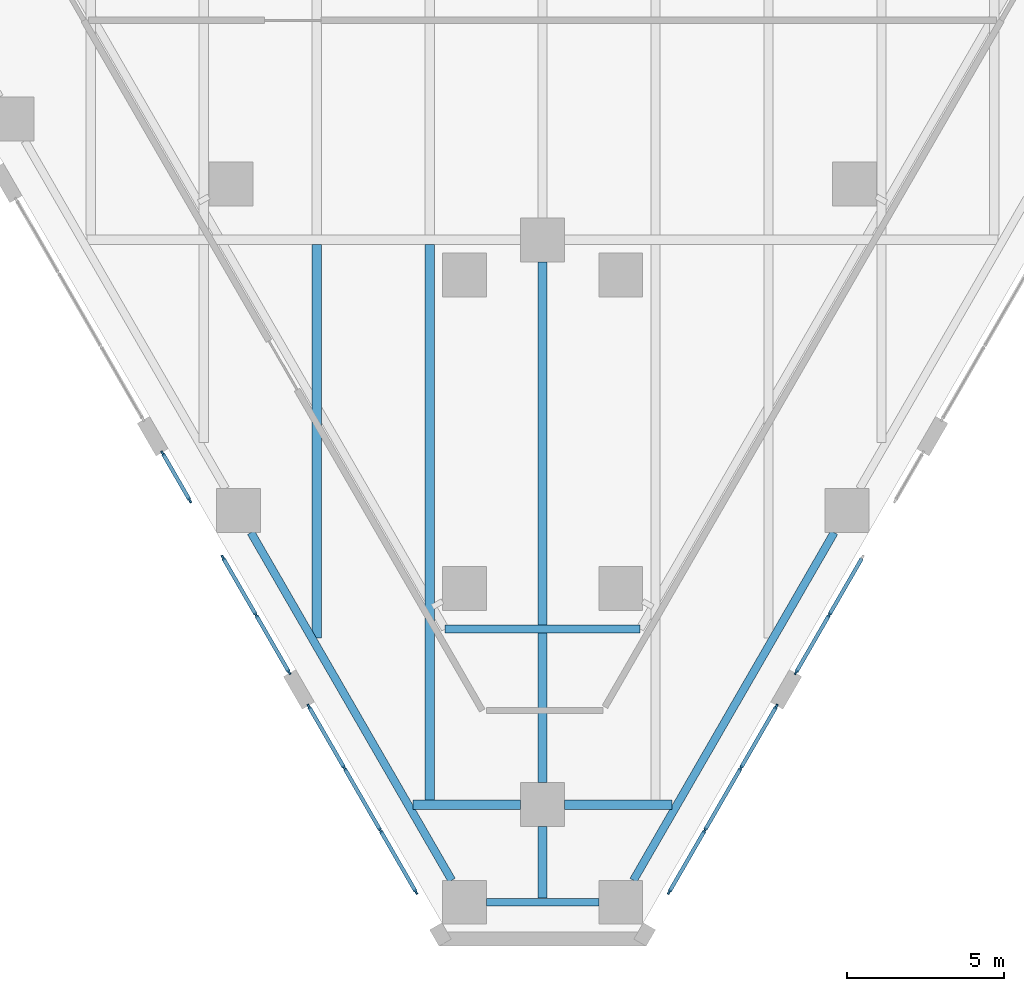
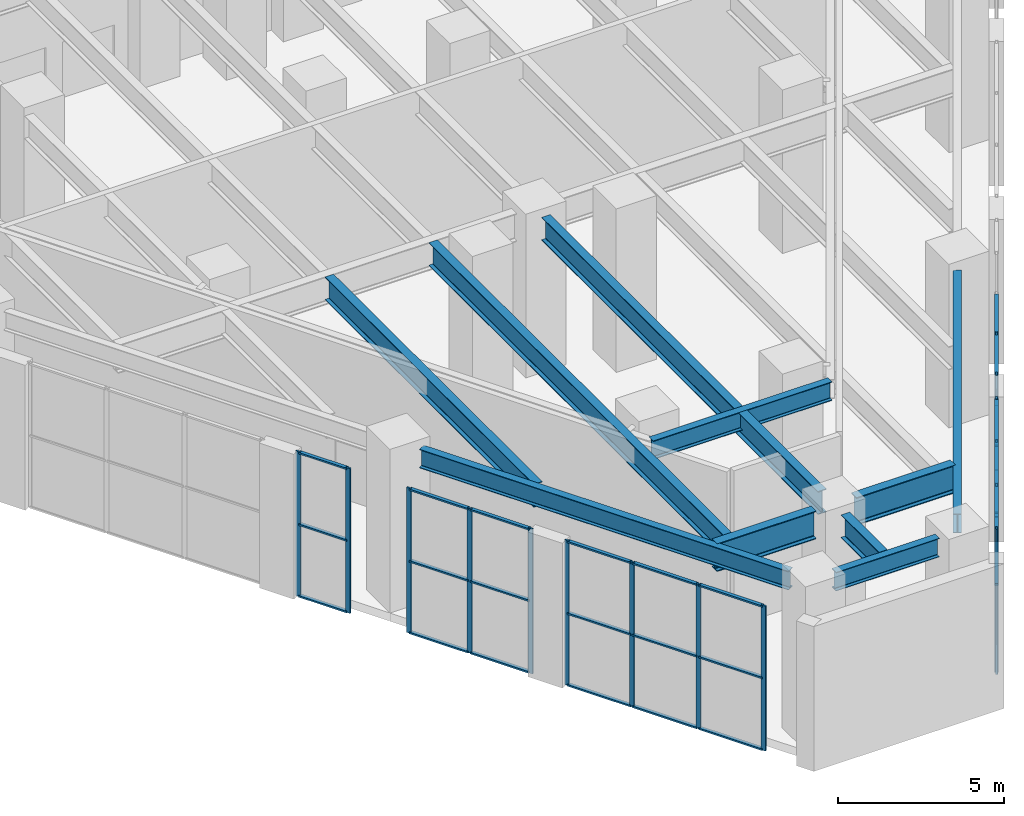
# One storey, part 2 of 37: 48 members, 10 beams, 5 elements without a shape of their own.
"""IFC4 building model written with IfcOpenShell, lengths in metres."""

from ifc_helpers import new_model, si_unit, direction, frame, origin, origin_2d, place, context, subcontext, project, spatial, rectangle, i_section, extrude, material, material_profile, profile_set, type_object, element, aggregate, save


model = new_model("IFC4")

# Units and contexts
model_context = context("Model", 3, precision=1e-05, world=origin(), true_north=direction((0.0, 1.0)))
body_context = subcontext(model_context, "Body", "Model", "MODEL_VIEW")
ifc_project = project(units=[si_unit("LENGTHUNIT", "METRE"), si_unit("AREAUNIT", "SQUARE_METRE"), si_unit("VOLUMEUNIT", "CUBIC_METRE"), si_unit("PLANEANGLEUNIT", "RADIAN"), si_unit("MASSUNIT", "GRAM", prefix="KILO")], contexts=[model_context])

# Site, building, storey
site_placement = place(None, origin())
site = spatial("IfcSite", under=ifc_project, at=site_placement, CompositionType="ELEMENT")
building_placement = place(site_placement, origin())
building = spatial("IfcBuilding", under=site, at=building_placement, Name="Aloe Facet Convention Tower", CompositionType="ELEMENT")
storey_placement = place(building_placement, frame((0.0, 0.0, 7.5)))
storey = spatial("IfcBuildingStorey", under=building, at=storey_placement, Name="L01", CompositionType="ELEMENT", Elevation=7.5)

# Beam
ifc_material_1 = material(Name="Steel S355", Category="steel")
ifc_material_profile_1 = material_profile(ifc_material_1, i_section(OverallWidth=0.25439453125, OverallDepth=0.6875, WebThickness=0.01318359375, FlangeThickness=0.02099609375, FilletRadius=0.01513671875, at=origin_2d()), Name="UB 686x254x152")
ifc_profile_set_1 = profile_set([ifc_material_profile_1], Name="Steel S355")
beam_type_1 = type_object("IfcBeamType", Name="EV-EB-UB686x254x152", PredefinedType="BEAM", material=ifc_profile_set_1)
beam_1_placement = place(storey_placement, frame((76.89501953125, 50.598876953125, 5.356201171875), z_axis=(1.0, 0.0, 0.0), x_axis=(0.0, 1.0, 0.0)))
element("IfcBeam", 1, at=beam_1_placement, inside=storey, type_object=beam_type_1, Name="EB-L02-B", PredefinedType="BEAM", context=body_context, shape_type="SweptSolid", body=[
    extrude(i_section(OverallWidth=0.25439453125, OverallDepth=0.6875, WebThickness=0.01318359375, FlangeThickness=0.02099609375, FilletRadius=0.01513671875, at=origin_2d()), origin(), (0.0, 0.0, 1.0), 6.2099609375),
])

# Curtain wall, members
ifc_material_2 = material(Name="Aluminium, anodised", Category="aluminium")
curtain_wall_type = type_object("IfcCurtainWallType", Name="EV-CW-SHOP", PredefinedType="USERDEFINED", material=ifc_material_2)
curtain_wall_1_placement = place(storey_placement, origin())
curtain_wall_1 = element("IfcCurtainWall", 2, at=curtain_wall_1_placement, inside=storey, type_object=curtain_wall_type, Name="CW-L01-W20-1", ObjectType="STICK SHOPFRONT GLAZING", PredefinedType="USERDEFINED")
ifc_material_3 = material(Name="Aluminium, anodised", Category="aluminium")
ifc_material_profile_2 = material_profile(ifc_material_3, rectangle(XDim=0.06005859375, YDim=0.159912109375, at=origin_2d()), Name="AL 60x160")
ifc_profile_set_2 = profile_set([ifc_material_profile_2], Name="Aluminium, anodised")
member_type_1 = type_object("IfcMemberType", Name="EV-MULL-SHOP", PredefinedType="MULLION", material=ifc_profile_set_2)
member_1_placement = place(storey_placement, frame((67.888427734375, 56.1982421875, -0.300048828125), z_axis=(0.0, 0.0, 1.0), x_axis=(0.866025403715, 0.500000000121, 0.0)))
member_1 = element("IfcMember", 3, at=member_1_placement, type_object=member_type_1, Name="CW-L01-W20-1 mullion 1", PredefinedType="MULLION", context=body_context, shape_type="SweptSolid", body=[
    extrude(rectangle(XDim=0.06005859375, YDim=0.159912109375, at=origin_2d()), origin(), (0.0, 0.0, 1.0), 5.3125),
])
member_2_placement = place(storey_placement, frame((68.7548828125, 54.697509765625, -0.300048828125), z_axis=(0.0, 0.0, 1.0), x_axis=(0.866025403715, 0.500000000121, 0.0)))
member_2 = element("IfcMember", 4, at=member_2_placement, type_object=member_type_1, Name="CW-L01-W20-1 mullion 2", PredefinedType="MULLION", context=body_context, shape_type="SweptSolid", body=[
    extrude(rectangle(XDim=0.06005859375, YDim=0.159912109375, at=origin_2d()), origin(), (0.0, 0.0, 1.0), 5.3125),
])

curtain_wall_2_placement = place(storey_placement, origin())
curtain_wall_2 = element("IfcCurtainWall", 5, at=curtain_wall_2_placement, inside=storey, type_object=curtain_wall_type, Name="CW-L01-W20-2", ObjectType="STICK SHOPFRONT GLAZING", PredefinedType="USERDEFINED")
member_3_placement = place(storey_placement, frame((69.809326171875, 52.87109375, -0.300048828125), z_axis=(0.0, 0.0, 1.0), x_axis=(0.866025403811, 0.499999999955, 0.0)))
member_3 = element("IfcMember", 6, at=member_3_placement, type_object=member_type_1, Name="CW-L01-W20-2 mullion 1", PredefinedType="MULLION", context=body_context, shape_type="SweptSolid", body=[
    extrude(rectangle(XDim=0.06005859375, YDim=0.159912109375, at=origin_2d()), origin(), (0.0, 0.0, 1.0), 5.3125),
])
member_4_placement = place(storey_placement, frame((70.8642578125, 51.0439453125, -0.300048828125), z_axis=(0.0, 0.0, 1.0), x_axis=(0.866025403811, 0.499999999955, 0.0)))
member_4 = element("IfcMember", 7, at=member_4_placement, type_object=member_type_1, Name="CW-L01-W20-2 mullion 2", PredefinedType="MULLION", context=body_context, shape_type="SweptSolid", body=[
    extrude(rectangle(XDim=0.06005859375, YDim=0.159912109375, at=origin_2d()), origin(), (0.0, 0.0, 1.0), 5.3125),
])
member_5_placement = place(storey_placement, frame((71.919189453125, 49.217041015625, -0.300048828125), z_axis=(0.0, 0.0, 1.0), x_axis=(0.866025403811, 0.499999999955, 0.0)))
member_5 = element("IfcMember", 8, at=member_5_placement, type_object=member_type_1, Name="CW-L01-W20-2 mullion 3", PredefinedType="MULLION", context=body_context, shape_type="SweptSolid", body=[
    extrude(rectangle(XDim=0.06005859375, YDim=0.159912109375, at=origin_2d()), origin(), (0.0, 0.0, 1.0), 5.3125),
])

curtain_wall_3_placement = place(storey_placement, origin())
curtain_wall_3 = element("IfcCurtainWall", 9, at=curtain_wall_3_placement, inside=storey, type_object=curtain_wall_type, Name="CW-L01-W22", ObjectType="STICK SHOPFRONT GLAZING", PredefinedType="USERDEFINED")
member_6_placement = place(storey_placement, frame((72.549072265625, 48.125732421875, -0.300048828125), z_axis=(0.0, 0.0, 1.0), x_axis=(0.866025403776, 0.500000000015, 0.0)))
member_6 = element("IfcMember", 10, at=member_6_placement, type_object=member_type_1, Name="CW-L01-W22 mullion 1", PredefinedType="MULLION", context=body_context, shape_type="SweptSolid", body=[
    extrude(rectangle(XDim=0.06005859375, YDim=0.159912109375, at=origin_2d()), origin(), (0.0, 0.0, 1.0), 5.3125),
])
member_7_placement = place(storey_placement, frame((73.682373046875, 46.1630859375, -0.300048828125), z_axis=(0.0, 0.0, 1.0), x_axis=(0.866025403776, 0.500000000015, 0.0)))
member_7 = element("IfcMember", 11, at=member_7_placement, type_object=member_type_1, Name="CW-L01-W22 mullion 2", PredefinedType="MULLION", context=body_context, shape_type="SweptSolid", body=[
    extrude(rectangle(XDim=0.06005859375, YDim=0.159912109375, at=origin_2d()), origin(), (0.0, 0.0, 1.0), 5.3125),
])
member_8_placement = place(storey_placement, frame((74.830322265625, 44.174560546875, -0.300048828125), z_axis=(0.0, 0.0, 1.0), x_axis=(0.866025403776, 0.500000000015, 0.0)))
member_8 = element("IfcMember", 12, at=member_8_placement, type_object=member_type_1, Name="CW-L01-W22 mullion 3", PredefinedType="MULLION", context=body_context, shape_type="SweptSolid", body=[
    extrude(rectangle(XDim=0.06005859375, YDim=0.159912109375, at=origin_2d()), origin(), (0.0, 0.0, 1.0), 5.3125),
])
member_9_placement = place(storey_placement, frame((75.963623046875, 42.2119140625, -0.300048828125), z_axis=(0.0, 0.0, 1.0), x_axis=(0.866025403776, 0.500000000015, 0.0)))
member_9 = element("IfcMember", 13, at=member_9_placement, type_object=member_type_1, Name="CW-L01-W22 mullion 4", PredefinedType="MULLION", context=body_context, shape_type="SweptSolid", body=[
    extrude(rectangle(XDim=0.06005859375, YDim=0.159912109375, at=origin_2d()), origin(), (0.0, 0.0, 1.0), 5.3125),
])

curtain_wall_4_placement = place(storey_placement, origin())
curtain_wall_4 = element("IfcCurtainWall", 14, at=curtain_wall_4_placement, inside=storey, type_object=curtain_wall_type, Name="CW-L01-E02", ObjectType="STICK SHOPFRONT GLAZING", PredefinedType="USERDEFINED")
member_10_placement = place(storey_placement, frame((84.036376953125, 42.2119140625, -0.300048828125), z_axis=(0.0, 0.0, 1.0), x_axis=(-0.866025403776, 0.500000000015, 0.0)))
member_10 = element("IfcMember", 15, at=member_10_placement, type_object=member_type_1, Name="CW-L01-E02 mullion 1", PredefinedType="MULLION", context=body_context, shape_type="SweptSolid", body=[
    extrude(rectangle(XDim=0.06005859375, YDim=0.159912109375, at=origin_2d()), origin(), (0.0, 0.0, 1.0), 5.3125),
])
member_11_placement = place(storey_placement, frame((85.169677734375, 44.174560546875, -0.300048828125), z_axis=(0.0, 0.0, 1.0), x_axis=(-0.866025403776, 0.500000000015, 0.0)))
member_11 = element("IfcMember", 16, at=member_11_placement, type_object=member_type_1, Name="CW-L01-E02 mullion 2", PredefinedType="MULLION", context=body_context, shape_type="SweptSolid", body=[
    extrude(rectangle(XDim=0.06005859375, YDim=0.159912109375, at=origin_2d()), origin(), (0.0, 0.0, 1.0), 5.3125),
])
member_12_placement = place(storey_placement, frame((86.317626953125, 46.1630859375, -0.300048828125), z_axis=(0.0, 0.0, 1.0), x_axis=(-0.866025403776, 0.500000000015, 0.0)))
member_12 = element("IfcMember", 17, at=member_12_placement, type_object=member_type_1, Name="CW-L01-E02 mullion 3", PredefinedType="MULLION", context=body_context, shape_type="SweptSolid", body=[
    extrude(rectangle(XDim=0.06005859375, YDim=0.159912109375, at=origin_2d()), origin(), (0.0, 0.0, 1.0), 5.3125),
])
member_13_placement = place(storey_placement, frame((87.450927734375, 48.125732421875, -0.300048828125), z_axis=(0.0, 0.0, 1.0), x_axis=(-0.866025403776, 0.500000000015, 0.0)))
member_13 = element("IfcMember", 18, at=member_13_placement, type_object=member_type_1, Name="CW-L01-E02 mullion 4", PredefinedType="MULLION", context=body_context, shape_type="SweptSolid", body=[
    extrude(rectangle(XDim=0.06005859375, YDim=0.159912109375, at=origin_2d()), origin(), (0.0, 0.0, 1.0), 5.3125),
])

curtain_wall_5_placement = place(storey_placement, origin())
curtain_wall_5 = element("IfcCurtainWall", 19, at=curtain_wall_5_placement, inside=storey, type_object=curtain_wall_type, Name="CW-L01-E04-1", ObjectType="STICK SHOPFRONT GLAZING", PredefinedType="USERDEFINED")
member_14_placement = place(storey_placement, frame((88.080810546875, 49.217041015625, -0.300048828125), z_axis=(0.0, 0.0, 1.0), x_axis=(-0.866025403811, 0.499999999955, 0.0)))
member_14 = element("IfcMember", 20, at=member_14_placement, type_object=member_type_1, Name="CW-L01-E04-1 mullion 1", PredefinedType="MULLION", context=body_context, shape_type="SweptSolid", body=[
    extrude(rectangle(XDim=0.06005859375, YDim=0.159912109375, at=origin_2d()), origin(), (0.0, 0.0, 1.0), 5.3125),
])
member_15_placement = place(storey_placement, frame((89.1357421875, 51.0439453125, -0.300048828125), z_axis=(0.0, 0.0, 1.0), x_axis=(-0.866025403811, 0.499999999955, 0.0)))
member_15 = element("IfcMember", 21, at=member_15_placement, type_object=member_type_1, Name="CW-L01-E04-1 mullion 2", PredefinedType="MULLION", context=body_context, shape_type="SweptSolid", body=[
    extrude(rectangle(XDim=0.06005859375, YDim=0.159912109375, at=origin_2d()), origin(), (0.0, 0.0, 1.0), 5.3125),
])

# Member
ifc_material_4 = material(Name="Aluminium, anodised", Category="aluminium")
ifc_material_profile_3 = material_profile(ifc_material_4, rectangle(XDim=0.1201171875, YDim=0.06005859375, at=origin_2d()), Name="AL 120x60")
ifc_profile_set_3 = profile_set([ifc_material_profile_3], Name="Aluminium, anodised")
member_type_2 = type_object("IfcMemberType", Name="EV-TRAN-SHOP", PredefinedType="USERDEFINED", material=ifc_profile_set_3)
member_16_placement = place(storey_placement, frame((67.903564453125, 56.17236328125, -0.27001953125), z_axis=(0.500000383388, -0.866025182435, 0.0), x_axis=(0.866025182435, 0.500000383388, 0.0)))
member_16 = element("IfcMember", 22, at=member_16_placement, type_object=member_type_2, Name="CW-L01-W20-1 transom 1.1", ObjectType="TRANSOM", PredefinedType="USERDEFINED", context=body_context, shape_type="SweptSolid", body=[
    extrude(rectangle(XDim=0.1201171875, YDim=0.06005859375, at=origin_2d()), origin(), (0.0, 0.0, 1.0), 1.6728515625),
])

member_17_placement = place(storey_placement, frame((67.903564453125, 56.17236328125, 2.356201171875), z_axis=(0.500000383388, -0.866025182435, 0.0), x_axis=(0.866025182435, 0.500000383388, 0.0)))
member_17 = element("IfcMember", 23, at=member_17_placement, type_object=member_type_2, Name="CW-L01-W20-1 transom 1.2", ObjectType="TRANSOM", PredefinedType="USERDEFINED", context=body_context, shape_type="SweptSolid", body=[
    extrude(rectangle(XDim=0.1201171875, YDim=0.06005859375, at=origin_2d()), origin(), (0.0, 0.0, 1.0), 1.6728515625),
])

member_18_placement = place(storey_placement, frame((67.903564453125, 56.17236328125, 4.982421875), z_axis=(0.500000383388, -0.866025182435, 0.0), x_axis=(0.866025182435, 0.500000383388, 0.0)))
member_18 = element("IfcMember", 24, at=member_18_placement, type_object=member_type_2, Name="CW-L01-W20-1 transom 1.3", ObjectType="TRANSOM", PredefinedType="USERDEFINED", context=body_context, shape_type="SweptSolid", body=[
    extrude(rectangle(XDim=0.1201171875, YDim=0.06005859375, at=origin_2d()), origin(), (0.0, 0.0, 1.0), 1.6728515625),
])

aggregate(curtain_wall_1, [member_1, member_2, member_16, member_17, member_18])

member_19_placement = place(storey_placement, frame((69.824462890625, 52.84521484375, -0.27001953125), z_axis=(0.500007699544, -0.866020958405, 0.0), x_axis=(0.866020958405, 0.500007699544, 0.0)))
member_19 = element("IfcMember", 25, at=member_19_placement, type_object=member_type_2, Name="CW-L01-W20-2 transom 1.1", ObjectType="TRANSOM", PredefinedType="USERDEFINED", context=body_context, shape_type="SweptSolid", body=[
    extrude(rectangle(XDim=0.1201171875, YDim=0.06005859375, at=origin_2d()), origin(), (0.0, 0.0, 1.0), 2.0498046875),
])

member_20_placement = place(storey_placement, frame((69.824462890625, 52.84521484375, 2.356201171875), z_axis=(0.500007699544, -0.866020958405, 0.0), x_axis=(0.866020958405, 0.500007699544, 0.0)))
member_20 = element("IfcMember", 26, at=member_20_placement, type_object=member_type_2, Name="CW-L01-W20-2 transom 1.2", ObjectType="TRANSOM", PredefinedType="USERDEFINED", context=body_context, shape_type="SweptSolid", body=[
    extrude(rectangle(XDim=0.1201171875, YDim=0.06005859375, at=origin_2d()), origin(), (0.0, 0.0, 1.0), 2.0498046875),
])

member_21_placement = place(storey_placement, frame((69.824462890625, 52.84521484375, 4.982421875), z_axis=(0.500007699544, -0.866020958405, 0.0), x_axis=(0.866020958405, 0.500007699544, 0.0)))
member_21 = element("IfcMember", 27, at=member_21_placement, type_object=member_type_2, Name="CW-L01-W20-2 transom 1.3", ObjectType="TRANSOM", PredefinedType="USERDEFINED", context=body_context, shape_type="SweptSolid", body=[
    extrude(rectangle(XDim=0.1201171875, YDim=0.06005859375, at=origin_2d()), origin(), (0.0, 0.0, 1.0), 2.0498046875),
])

member_22_placement = place(storey_placement, frame((70.87939453125, 51.01806640625, -0.27001953125), z_axis=(0.499918362854, -0.866072531883, 0.0), x_axis=(0.866072531883, 0.499918362854, 0.0)))
member_22 = element("IfcMember", 28, at=member_22_placement, type_object=member_type_2, Name="CW-L01-W20-2 transom 2.1", ObjectType="TRANSOM", PredefinedType="USERDEFINED", context=body_context, shape_type="SweptSolid", body=[
    extrude(rectangle(XDim=0.1201171875, YDim=0.06005859375, at=origin_2d()), origin(), (0.0, 0.0, 1.0), 2.049560546875),
])

member_23_placement = place(storey_placement, frame((70.87939453125, 51.01806640625, 2.356201171875), z_axis=(0.499918362854, -0.866072531883, 0.0), x_axis=(0.866072531883, 0.499918362854, 0.0)))
member_23 = element("IfcMember", 29, at=member_23_placement, type_object=member_type_2, Name="CW-L01-W20-2 transom 2.2", ObjectType="TRANSOM", PredefinedType="USERDEFINED", context=body_context, shape_type="SweptSolid", body=[
    extrude(rectangle(XDim=0.1201171875, YDim=0.06005859375, at=origin_2d()), origin(), (0.0, 0.0, 1.0), 2.049560546875),
])

member_24_placement = place(storey_placement, frame((70.87939453125, 51.01806640625, 4.982421875), z_axis=(0.499918362854, -0.866072531883, 0.0), x_axis=(0.866072531883, 0.499918362854, 0.0)))
member_24 = element("IfcMember", 30, at=member_24_placement, type_object=member_type_2, Name="CW-L01-W20-2 transom 2.3", ObjectType="TRANSOM", PredefinedType="USERDEFINED", context=body_context, shape_type="SweptSolid", body=[
    extrude(rectangle(XDim=0.1201171875, YDim=0.06005859375, at=origin_2d()), origin(), (0.0, 0.0, 1.0), 2.049560546875),
])

aggregate(curtain_wall_2, [member_3, member_4, member_5, member_19, member_20, member_21, member_22, member_23, member_24])

member_25_placement = place(storey_placement, frame((72.564208984375, 48.099853515625, -0.27001953125), z_axis=(0.499971514742, -0.866041849131, 0.0), x_axis=(0.866041849131, 0.499971514742, 0.0)))
member_25 = element("IfcMember", 31, at=member_25_placement, type_object=member_type_2, Name="CW-L01-W22 transom 1.1", ObjectType="TRANSOM", PredefinedType="USERDEFINED", context=body_context, shape_type="SweptSolid", body=[
    extrude(rectangle(XDim=0.1201171875, YDim=0.06005859375, at=origin_2d()), origin(), (0.0, 0.0, 1.0), 2.206298828125),
])

member_26_placement = place(storey_placement, frame((72.564208984375, 48.099853515625, 2.356201171875), z_axis=(0.499971514742, -0.866041849131, 0.0), x_axis=(0.866041849131, 0.499971514742, 0.0)))
member_26 = element("IfcMember", 32, at=member_26_placement, type_object=member_type_2, Name="CW-L01-W22 transom 1.2", ObjectType="TRANSOM", PredefinedType="USERDEFINED", context=body_context, shape_type="SweptSolid", body=[
    extrude(rectangle(XDim=0.1201171875, YDim=0.06005859375, at=origin_2d()), origin(), (0.0, 0.0, 1.0), 2.206298828125),
])

member_27_placement = place(storey_placement, frame((72.564208984375, 48.099853515625, 4.982421875), z_axis=(0.499971514742, -0.866041849131, 0.0), x_axis=(0.866041849131, 0.499971514742, 0.0)))
member_27 = element("IfcMember", 33, at=member_27_placement, type_object=member_type_2, Name="CW-L01-W22 transom 1.3", ObjectType="TRANSOM", PredefinedType="USERDEFINED", context=body_context, shape_type="SweptSolid", body=[
    extrude(rectangle(XDim=0.1201171875, YDim=0.06005859375, at=origin_2d()), origin(), (0.0, 0.0, 1.0), 2.206298828125),
])

member_28_placement = place(storey_placement, frame((73.697265625, 46.13720703125, -0.27001953125), z_axis=(0.499990200585, -0.866031061406, 0.0), x_axis=(0.866031061406, 0.499990200585, 0.0)))
member_28 = element("IfcMember", 34, at=member_28_placement, type_object=member_type_2, Name="CW-L01-W22 transom 2.1", ObjectType="TRANSOM", PredefinedType="USERDEFINED", context=body_context, shape_type="SweptSolid", body=[
    extrude(rectangle(XDim=0.1201171875, YDim=0.06005859375, at=origin_2d()), origin(), (0.0, 0.0, 1.0), 2.236328125),
])

member_29_placement = place(storey_placement, frame((73.697265625, 46.13720703125, 2.356201171875), z_axis=(0.499990200585, -0.866031061406, 0.0), x_axis=(0.866031061406, 0.499990200585, 0.0)))
member_29 = element("IfcMember", 35, at=member_29_placement, type_object=member_type_2, Name="CW-L01-W22 transom 2.2", ObjectType="TRANSOM", PredefinedType="USERDEFINED", context=body_context, shape_type="SweptSolid", body=[
    extrude(rectangle(XDim=0.1201171875, YDim=0.06005859375, at=origin_2d()), origin(), (0.0, 0.0, 1.0), 2.236328125),
])

member_30_placement = place(storey_placement, frame((73.697265625, 46.13720703125, 4.982421875), z_axis=(0.499990200585, -0.866031061406, 0.0), x_axis=(0.866031061406, 0.499990200585, 0.0)))
member_30 = element("IfcMember", 36, at=member_30_placement, type_object=member_type_2, Name="CW-L01-W22 transom 2.3", ObjectType="TRANSOM", PredefinedType="USERDEFINED", context=body_context, shape_type="SweptSolid", body=[
    extrude(rectangle(XDim=0.1201171875, YDim=0.06005859375, at=origin_2d()), origin(), (0.0, 0.0, 1.0), 2.236328125),
])

member_31_placement = place(storey_placement, frame((74.845458984375, 44.148681640625, -0.27001953125), z_axis=(0.499971514742, -0.866041849131, 0.0), x_axis=(0.866041849131, 0.499971514742, 0.0)))
member_31 = element("IfcMember", 37, at=member_31_placement, type_object=member_type_2, Name="CW-L01-W22 transom 3.1", ObjectType="TRANSOM", PredefinedType="USERDEFINED", context=body_context, shape_type="SweptSolid", body=[
    extrude(rectangle(XDim=0.1201171875, YDim=0.06005859375, at=origin_2d()), origin(), (0.0, 0.0, 1.0), 2.206298828125),
])

member_32_placement = place(storey_placement, frame((74.845458984375, 44.148681640625, 2.356201171875), z_axis=(0.499971514742, -0.866041849131, 0.0), x_axis=(0.866041849131, 0.499971514742, 0.0)))
member_32 = element("IfcMember", 38, at=member_32_placement, type_object=member_type_2, Name="CW-L01-W22 transom 3.2", ObjectType="TRANSOM", PredefinedType="USERDEFINED", context=body_context, shape_type="SweptSolid", body=[
    extrude(rectangle(XDim=0.1201171875, YDim=0.06005859375, at=origin_2d()), origin(), (0.0, 0.0, 1.0), 2.206298828125),
])

member_33_placement = place(storey_placement, frame((74.845458984375, 44.148681640625, 4.982421875), z_axis=(0.499971514742, -0.866041849131, 0.0), x_axis=(0.866041849131, 0.499971514742, 0.0)))
member_33 = element("IfcMember", 39, at=member_33_placement, type_object=member_type_2, Name="CW-L01-W22 transom 3.3", ObjectType="TRANSOM", PredefinedType="USERDEFINED", context=body_context, shape_type="SweptSolid", body=[
    extrude(rectangle(XDim=0.1201171875, YDim=0.06005859375, at=origin_2d()), origin(), (0.0, 0.0, 1.0), 2.206298828125),
])

aggregate(curtain_wall_3, [member_6, member_7, member_8, member_9, member_25, member_26, member_27, member_28, member_29, member_30, member_31, member_32, member_33])

member_34_placement = place(storey_placement, frame((84.051513671875, 42.238037109375, -0.27001953125), z_axis=(0.499971514742, 0.866041849131, 0.0), x_axis=(-0.866041849131, 0.499971514742, 0.0)))
member_34 = element("IfcMember", 40, at=member_34_placement, type_object=member_type_2, Name="CW-L01-E02 transom 1.1", ObjectType="TRANSOM", PredefinedType="USERDEFINED", context=body_context, shape_type="SweptSolid", body=[
    extrude(rectangle(XDim=0.1201171875, YDim=0.06005859375, at=origin_2d()), origin(), (0.0, 0.0, 1.0), 2.206298828125),
])

member_35_placement = place(storey_placement, frame((84.051513671875, 42.238037109375, 2.356201171875), z_axis=(0.499971514742, 0.866041849131, 0.0), x_axis=(-0.866041849131, 0.499971514742, 0.0)))
member_35 = element("IfcMember", 41, at=member_35_placement, type_object=member_type_2, Name="CW-L01-E02 transom 1.2", ObjectType="TRANSOM", PredefinedType="USERDEFINED", context=body_context, shape_type="SweptSolid", body=[
    extrude(rectangle(XDim=0.1201171875, YDim=0.06005859375, at=origin_2d()), origin(), (0.0, 0.0, 1.0), 2.206298828125),
])

member_36_placement = place(storey_placement, frame((84.051513671875, 42.238037109375, 4.982421875), z_axis=(0.499971514742, 0.866041849131, 0.0), x_axis=(-0.866041849131, 0.499971514742, 0.0)))
member_36 = element("IfcMember", 42, at=member_36_placement, type_object=member_type_2, Name="CW-L01-E02 transom 1.3", ObjectType="TRANSOM", PredefinedType="USERDEFINED", context=body_context, shape_type="SweptSolid", body=[
    extrude(rectangle(XDim=0.1201171875, YDim=0.06005859375, at=origin_2d()), origin(), (0.0, 0.0, 1.0), 2.206298828125),
])

member_37_placement = place(storey_placement, frame((85.1845703125, 44.200439453125, -0.27001953125), z_axis=(0.499990200585, 0.866031061406, 0.0), x_axis=(-0.866031061406, 0.499990200585, 0.0)))
member_37 = element("IfcMember", 43, at=member_37_placement, type_object=member_type_2, Name="CW-L01-E02 transom 2.1", ObjectType="TRANSOM", PredefinedType="USERDEFINED", context=body_context, shape_type="SweptSolid", body=[
    extrude(rectangle(XDim=0.1201171875, YDim=0.06005859375, at=origin_2d()), origin(), (0.0, 0.0, 1.0), 2.236328125),
])

member_38_placement = place(storey_placement, frame((85.1845703125, 44.200439453125, 2.356201171875), z_axis=(0.499990200585, 0.866031061406, 0.0), x_axis=(-0.866031061406, 0.499990200585, 0.0)))
member_38 = element("IfcMember", 44, at=member_38_placement, type_object=member_type_2, Name="CW-L01-E02 transom 2.2", ObjectType="TRANSOM", PredefinedType="USERDEFINED", context=body_context, shape_type="SweptSolid", body=[
    extrude(rectangle(XDim=0.1201171875, YDim=0.06005859375, at=origin_2d()), origin(), (0.0, 0.0, 1.0), 2.236328125),
])

member_39_placement = place(storey_placement, frame((85.1845703125, 44.200439453125, 4.982421875), z_axis=(0.499990200585, 0.866031061406, 0.0), x_axis=(-0.866031061406, 0.499990200585, 0.0)))
member_39 = element("IfcMember", 45, at=member_39_placement, type_object=member_type_2, Name="CW-L01-E02 transom 2.3", ObjectType="TRANSOM", PredefinedType="USERDEFINED", context=body_context, shape_type="SweptSolid", body=[
    extrude(rectangle(XDim=0.1201171875, YDim=0.06005859375, at=origin_2d()), origin(), (0.0, 0.0, 1.0), 2.236328125),
])

member_40_placement = place(storey_placement, frame((86.332763671875, 46.189208984375, -0.27001953125), z_axis=(0.499971514742, 0.866041849131, 0.0), x_axis=(-0.866041849131, 0.499971514742, 0.0)))
member_40 = element("IfcMember", 46, at=member_40_placement, type_object=member_type_2, Name="CW-L01-E02 transom 3.1", ObjectType="TRANSOM", PredefinedType="USERDEFINED", context=body_context, shape_type="SweptSolid", body=[
    extrude(rectangle(XDim=0.1201171875, YDim=0.06005859375, at=origin_2d()), origin(), (0.0, 0.0, 1.0), 2.206298828125),
])

member_41_placement = place(storey_placement, frame((86.332763671875, 46.189208984375, 2.356201171875), z_axis=(0.499971514742, 0.866041849131, 0.0), x_axis=(-0.866041849131, 0.499971514742, 0.0)))
member_41 = element("IfcMember", 47, at=member_41_placement, type_object=member_type_2, Name="CW-L01-E02 transom 3.2", ObjectType="TRANSOM", PredefinedType="USERDEFINED", context=body_context, shape_type="SweptSolid", body=[
    extrude(rectangle(XDim=0.1201171875, YDim=0.06005859375, at=origin_2d()), origin(), (0.0, 0.0, 1.0), 2.206298828125),
])

member_42_placement = place(storey_placement, frame((86.332763671875, 46.189208984375, 4.982421875), z_axis=(0.499971514742, 0.866041849131, 0.0), x_axis=(-0.866041849131, 0.499971514742, 0.0)))
member_42 = element("IfcMember", 48, at=member_42_placement, type_object=member_type_2, Name="CW-L01-E02 transom 3.3", ObjectType="TRANSOM", PredefinedType="USERDEFINED", context=body_context, shape_type="SweptSolid", body=[
    extrude(rectangle(XDim=0.1201171875, YDim=0.06005859375, at=origin_2d()), origin(), (0.0, 0.0, 1.0), 2.206298828125),
])

aggregate(curtain_wall_4, [member_10, member_11, member_12, member_13, member_34, member_35, member_36, member_37, member_38, member_39, member_40, member_41, member_42])

member_43_placement = place(storey_placement, frame((88.095947265625, 49.242919921875, -0.27001953125), z_axis=(0.499918362854, 0.866072531883, 0.0), x_axis=(-0.866072531883, 0.499918362854, 0.0)))
member_43 = element("IfcMember", 49, at=member_43_placement, type_object=member_type_2, Name="CW-L01-E04-1 transom 1.1", ObjectType="TRANSOM", PredefinedType="USERDEFINED", context=body_context, shape_type="SweptSolid", body=[
    extrude(rectangle(XDim=0.1201171875, YDim=0.06005859375, at=origin_2d()), origin(), (0.0, 0.0, 1.0), 2.049560546875),
])

member_44_placement = place(storey_placement, frame((88.095947265625, 49.242919921875, 2.356201171875), z_axis=(0.499918362854, 0.866072531883, 0.0), x_axis=(-0.866072531883, 0.499918362854, 0.0)))
member_44 = element("IfcMember", 50, at=member_44_placement, type_object=member_type_2, Name="CW-L01-E04-1 transom 1.2", ObjectType="TRANSOM", PredefinedType="USERDEFINED", context=body_context, shape_type="SweptSolid", body=[
    extrude(rectangle(XDim=0.1201171875, YDim=0.06005859375, at=origin_2d()), origin(), (0.0, 0.0, 1.0), 2.049560546875),
])

member_45_placement = place(storey_placement, frame((88.095947265625, 49.242919921875, 4.982421875), z_axis=(0.499918362854, 0.866072531883, 0.0), x_axis=(-0.866072531883, 0.499918362854, 0.0)))
member_45 = element("IfcMember", 51, at=member_45_placement, type_object=member_type_2, Name="CW-L01-E04-1 transom 1.3", ObjectType="TRANSOM", PredefinedType="USERDEFINED", context=body_context, shape_type="SweptSolid", body=[
    extrude(rectangle(XDim=0.1201171875, YDim=0.06005859375, at=origin_2d()), origin(), (0.0, 0.0, 1.0), 2.049560546875),
])

member_46_placement = place(storey_placement, frame((89.150634765625, 51.070068359375, -0.27001953125), z_axis=(0.500007699544, 0.866020958405, 0.0), x_axis=(-0.866020958405, 0.500007699544, 0.0)))
member_46 = element("IfcMember", 52, at=member_46_placement, type_object=member_type_2, Name="CW-L01-E04-1 transom 2.1", ObjectType="TRANSOM", PredefinedType="USERDEFINED", context=body_context, shape_type="SweptSolid", body=[
    extrude(rectangle(XDim=0.1201171875, YDim=0.06005859375, at=origin_2d()), origin(), (0.0, 0.0, 1.0), 2.0498046875),
])

member_47_placement = place(storey_placement, frame((89.150634765625, 51.070068359375, 2.356201171875), z_axis=(0.500007699544, 0.866020958405, 0.0), x_axis=(-0.866020958405, 0.500007699544, 0.0)))
member_47 = element("IfcMember", 53, at=member_47_placement, type_object=member_type_2, Name="CW-L01-E04-1 transom 2.2", ObjectType="TRANSOM", PredefinedType="USERDEFINED", context=body_context, shape_type="SweptSolid", body=[
    extrude(rectangle(XDim=0.1201171875, YDim=0.06005859375, at=origin_2d()), origin(), (0.0, 0.0, 1.0), 2.0498046875),
])

member_48_placement = place(storey_placement, frame((89.150634765625, 51.070068359375, 4.982421875), z_axis=(0.500007699544, 0.866020958405, 0.0), x_axis=(-0.866020958405, 0.500007699544, 0.0)))
member_48 = element("IfcMember", 54, at=member_48_placement, type_object=member_type_2, Name="CW-L01-E04-1 transom 2.3", ObjectType="TRANSOM", PredefinedType="USERDEFINED", context=body_context, shape_type="SweptSolid", body=[
    extrude(rectangle(XDim=0.1201171875, YDim=0.06005859375, at=origin_2d()), origin(), (0.0, 0.0, 1.0), 2.0498046875),
])

aggregate(curtain_wall_5, [member_14, member_15, member_43, member_44, member_45, member_46, member_47, member_48])

# Beams
ifc_material_5 = material(Name="Steel S355", Category="steel")
ifc_material_profile_4 = material_profile(ifc_material_5, i_section(OverallWidth=0.305419921875, OverallDepth=1.02587890625, WebThickness=0.02001953125, FlangeThickness=0.031005859375, FilletRadius=0.030029296875, at=origin_2d()), Name="UB 1016x305x349")
ifc_profile_set_4 = profile_set([ifc_material_profile_4], Name="Steel S355")
beam_type_2 = type_object("IfcBeamType", Name="SF-B-UB1016x305x349", PredefinedType="BEAM", material=ifc_profile_set_4)
for number, where, z_axis, x_axis, name in (
    (55, (75.867431640625, 45.0, 5.18701171875), (1.0, 0.0, 0.0), (0.0, 1.0, 0.0), "Floor beam FB-L02-039"),
    (56, (80.699951171875, 45.0, 5.18701171875), (1.0, 0.0, 0.0), (0.0, 1.0, 0.0), "Floor beam FB-L02-040"),
):
    element("IfcBeam", number, at=place(storey_placement, frame(where, z_axis=z_axis, x_axis=x_axis)), inside=storey, type_object=beam_type_2, Name=name, PredefinedType="BEAM", context=body_context, shape_type="SweptSolid", body=[
        extrude(i_section(OverallWidth=0.305419921875, OverallDepth=1.02587890625, WebThickness=0.02001953125, FlangeThickness=0.031005859375, FilletRadius=0.030029296875, at=origin_2d()), origin(), (0.0, 0.0, 1.0), 3.4326171875),
    ])
ifc_material_6 = material(Name="Steel S355", Category="steel")
ifc_material_profile_5 = material_profile(ifc_material_6, i_section(OverallWidth=0.25439453125, OverallDepth=0.6875, WebThickness=0.01318359375, FlangeThickness=0.02099609375, FilletRadius=0.01513671875, at=origin_2d()), Name="UB 686x254x152")
ifc_profile_set_5 = profile_set([ifc_material_profile_5], Name="Steel S355")
beam_type_3 = type_object("IfcBeamType", Name="SF-B-UB686x254x152", PredefinedType="BEAM", material=ifc_profile_set_5)
beam_2_placement = place(storey_placement, frame((77.104248046875, 42.5859375, 5.356201171875), z_axis=(-0.499987149722, 0.866032822769, 0.0), x_axis=(-0.866032822769, -0.499987149722, 0.0)))
element("IfcBeam", 57, at=beam_2_placement, inside=storey, type_object=beam_type_3, Name="Floor beam FB-L02-014", PredefinedType="BEAM", context=body_context, shape_type="SweptSolid", body=[
    extrude(i_section(OverallWidth=0.25439453125, OverallDepth=0.6875, WebThickness=0.01318359375, FlangeThickness=0.02099609375, FilletRadius=0.01513671875, at=origin_2d()), origin(), (0.0, 0.0, 1.0), 12.801025390625),
])
beam_3_placement = place(storey_placement, frame((81.7919921875, 41.88623046875, 5.356201171875), z_axis=(-1.0, 0.0, 0.0), x_axis=(0.0, -1.0, 0.0)))
element("IfcBeam", 58, at=beam_3_placement, inside=storey, type_object=beam_type_3, Name="Floor beam FB-L02-015", PredefinedType="BEAM", context=body_context, shape_type="SweptSolid", body=[
    extrude(i_section(OverallWidth=0.25439453125, OverallDepth=0.6875, WebThickness=0.01318359375, FlangeThickness=0.02099609375, FilletRadius=0.01513671875, at=origin_2d()), origin(), (0.0, 0.0, 1.0), 3.583984375),
])
beam_4_placement = place(storey_placement, frame((89.296142578125, 53.672119140625, 5.356201171875), z_axis=(-0.499987149722, -0.866032822769, 0.0), x_axis=(0.866032822769, -0.499987149722, 0.0)))
element("IfcBeam", 59, at=beam_4_placement, inside=storey, type_object=beam_type_3, Name="Floor beam FB-L02-016", PredefinedType="BEAM", context=body_context, shape_type="SweptSolid", body=[
    extrude(i_section(OverallWidth=0.25439453125, OverallDepth=0.6875, WebThickness=0.01318359375, FlangeThickness=0.02099609375, FilletRadius=0.01513671875, at=origin_2d()), origin(), (0.0, 0.0, 1.0), 12.801025390625),
])
ifc_material_7 = material(Name="Steel S355", Category="steel")
ifc_material_profile_6 = material_profile(ifc_material_7, i_section(OverallWidth=0.293701171875, OverallDepth=0.850830078125, WebThickness=0.01611328125, FlangeThickness=0.02685546875, FilletRadius=0.017822265625, at=origin_2d()), Name="UB 838x292x226")
ifc_profile_set_6 = profile_set([ifc_material_profile_6], Name="Steel S355")
beam_type_4 = type_object("IfcBeamType", Name="SF-B-UB838x292x226", PredefinedType="BEAM", material=ifc_profile_set_6)
beam_5_placement = place(storey_placement, frame((72.800048828125, 50.305908203125, 5.2744140625), z_axis=(0.0, 1.0, 0.0), x_axis=(-1.0, 0.0, 0.0)))
element("IfcBeam", 60, at=beam_5_placement, inside=storey, type_object=beam_type_4, Name="Floor beam FB-L02-095", PredefinedType="BEAM", context=body_context, shape_type="SweptSolid", body=[
    extrude(i_section(OverallWidth=0.293701171875, OverallDepth=0.850830078125, WebThickness=0.01611328125, FlangeThickness=0.02685546875, FilletRadius=0.017822265625, at=origin_2d()), origin(), (0.0, 0.0, 1.0), 12.54150390625),
])
beam_6_placement = place(storey_placement, frame((76.39990234375, 45.152587890625, 5.2744140625), z_axis=(0.0, 1.0, 0.0), x_axis=(-1.0, 0.0, 0.0)))
element("IfcBeam", 61, at=beam_6_placement, inside=storey, type_object=beam_type_4, Name="Floor beam FB-L02-102", PredefinedType="BEAM", context=body_context, shape_type="SweptSolid", body=[
    extrude(i_section(OverallWidth=0.293701171875, OverallDepth=0.850830078125, WebThickness=0.01611328125, FlangeThickness=0.02685546875, FilletRadius=0.017822265625, at=origin_2d()), origin(), (0.0, 0.0, 1.0), 17.69482421875),
])
beam_7_placement = place(storey_placement, frame((80.0, 42.0234375, 5.2744140625), z_axis=(0.0, 1.0, 0.0), x_axis=(-1.0, 0.0, 0.0)))
element("IfcBeam", 62, at=beam_7_placement, inside=storey, type_object=beam_type_4, Name="Floor beam FB-L02-108", PredefinedType="BEAM", context=body_context, shape_type="SweptSolid", body=[
    extrude(i_section(OverallWidth=0.293701171875, OverallDepth=0.850830078125, WebThickness=0.01611328125, FlangeThickness=0.02685546875, FilletRadius=0.017822265625, at=origin_2d()), origin(), (0.0, 0.0, 1.0), 2.276611328125),
])
beam_8_placement = place(storey_placement, frame((80.0, 45.699951171875, 5.2744140625), z_axis=(0.0, 1.0, 0.0), x_axis=(-1.0, 0.0, 0.0)))
element("IfcBeam", 63, at=beam_8_placement, inside=storey, type_object=beam_type_4, Name="Floor beam FB-L02-109", PredefinedType="BEAM", context=body_context, shape_type="SweptSolid", body=[
    extrude(i_section(OverallWidth=0.293701171875, OverallDepth=0.850830078125, WebThickness=0.01611328125, FlangeThickness=0.02685546875, FilletRadius=0.017822265625, at=origin_2d()), origin(), (0.0, 0.0, 1.0), 16.60009765625),
])

save(model, "model.ifc")
